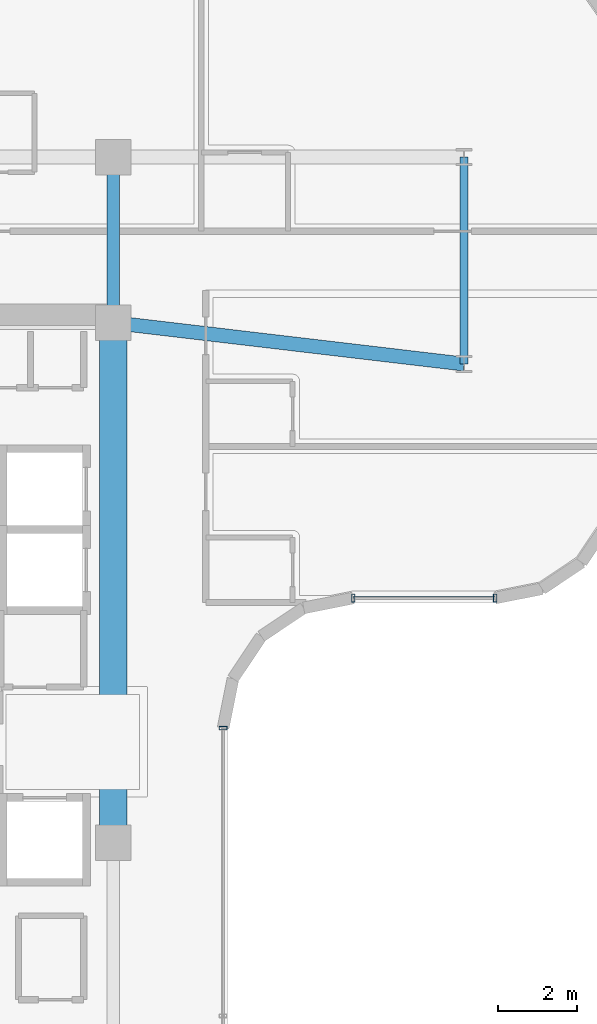
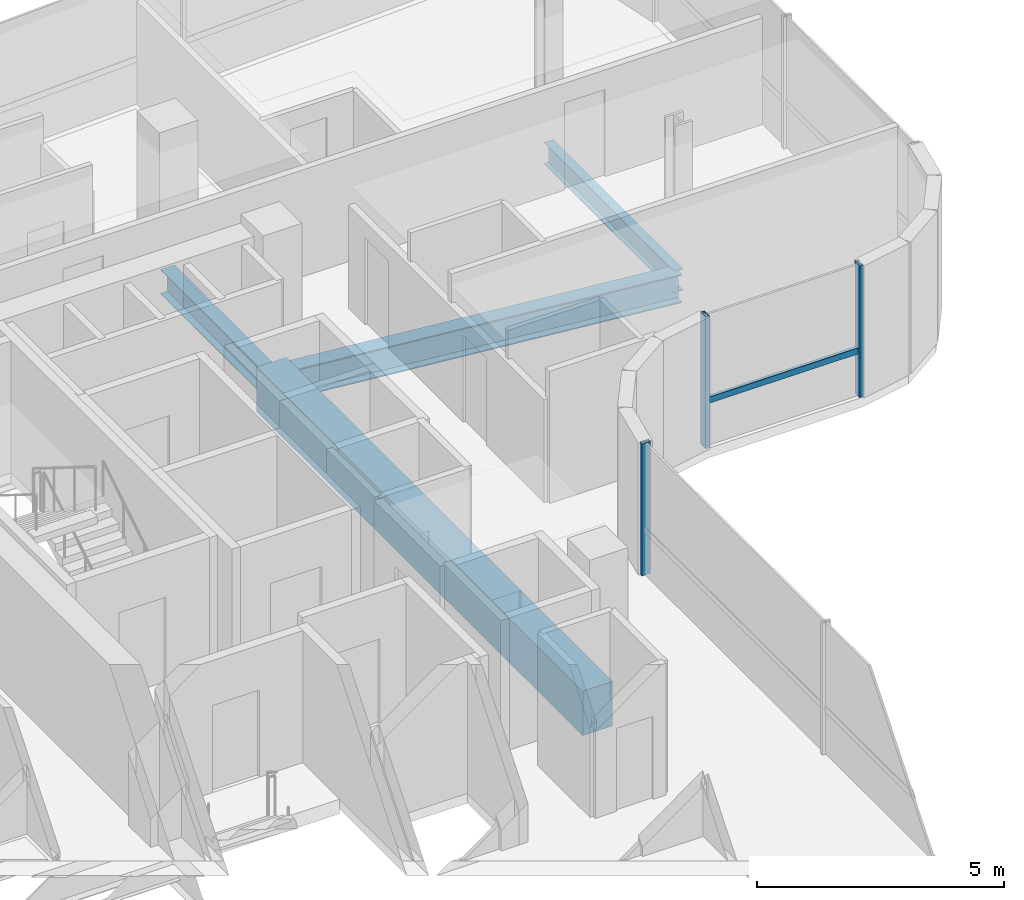
# One storey, part 9 of 22: 4 beams, 4 members, 2 elements without a shape of their own.
"""IFC4 building model written with IfcOpenShell, lengths in metres."""

from ifc_helpers import new_model, si_unit, direction, frame, origin, origin_2d, place, context, subcontext, project, spatial, rectangle, hollow_rectangle, i_section, extrude, source, transform, mapped, material, material_profile, profile_set, type_object, element, aggregate, save


model = new_model("IFC4")

# Units and contexts
model_context = context("Model", 3, precision=1e-05, world=origin(), true_north=direction((0.0, 1.0)))
body_context = subcontext(model_context, "Body", "Model", "MODEL_VIEW")
ifc_project = project(units=[si_unit("LENGTHUNIT", "METRE"), si_unit("AREAUNIT", "SQUARE_METRE"), si_unit("VOLUMEUNIT", "CUBIC_METRE"), si_unit("PLANEANGLEUNIT", "RADIAN"), si_unit("MASSUNIT", "GRAM", prefix="KILO")], contexts=[model_context])

# Site, building, storey
site_placement = place(None, origin())
site = spatial("IfcSite", under=ifc_project, at=site_placement, CompositionType="ELEMENT")
building_placement = place(site_placement, origin())
building = spatial("IfcBuilding", under=site, at=building_placement, Name="Valdorenza Pilgrim Sanctuary Tower", CompositionType="ELEMENT")
storey_placement = place(building_placement, frame((0.0, 0.0, 216.0)))
storey = spatial("IfcBuildingStorey", under=building, at=storey_placement, Name="L55", CompositionType="ELEMENT", Elevation=216.0)

# Beams
ifc_material_1 = material(Name="Concrete C50/60", Category="concrete")
ifc_material_profile_1 = material_profile(ifc_material_1, rectangle(XDim=0.699951171875, YDim=1.10009765625, at=origin_2d()), Name="RC 1100x700")
ifc_profile_set_1 = profile_set([ifc_material_profile_1], Name="Concrete C50/60")
beam_type_1 = type_object("IfcBeamType", Name="STR-BM-LNT-1100", PredefinedType="LINTEL", material=ifc_profile_set_1)
shared_shape_1 = source(origin(), body_context, "Body", "SweptSolid", [
    extrude(rectangle(XDim=0.699951171875, YDim=1.10009765625, at=origin_2d()), origin(), (0.0, 0.0, 1.0), 13.2001953125),
])
beam_1_placement = place(storey_placement, frame((-12.39990234375, -2.60009765625, -0.590087890625), z_axis=(0.0, 1.0, 0.0), x_axis=(-1.0, 0.0, 0.0)))
element("IfcBeam", 1, at=beam_1_placement, inside=storey, type_object=beam_type_1, Name="L55 Core A Coupling Lintel Girder", PredefinedType="LINTEL", context=body_context, shape_type="MappedRepresentation", body=[
    mapped(shared_shape_1, transform((0.0, 0.0, 0.0), x_axis=(1.0, 0.0, 0.0), y_axis=(0.0, 1.0, 0.0), z_axis=(0.0, 0.0, 1.0), scale=1.0)),
])
ifc_material_2 = material(Name="Steel ASTM A992 Grade 50", Category="steel")
ifc_material_profile_2 = material_profile(ifc_material_2, i_section(OverallWidth=0.323974609375, OverallDepth=0.611083984375, WebThickness=0.0126953125, FlangeThickness=0.01904296875, at=origin_2d()), Name="W24X104")
ifc_profile_set_2 = profile_set([ifc_material_profile_2], Name="Steel ASTM A992 Grade 50")
beam_type_2 = type_object("IfcBeamType", Name="STR-BM-GRD-W24B", PredefinedType="BEAM", material=ifc_profile_set_2)
shared_shape_2 = source(origin(), body_context, "Body", "SweptSolid", [
    extrude(i_section(OverallWidth=0.323974609375, OverallDepth=0.611083984375, WebThickness=0.0126953125, FlangeThickness=0.01904296875, at=origin_2d()), origin(), (0.0, 0.0, 1.0), 4.199951171875),
])
beam_2_placement = place(storey_placement, frame((-12.39990234375, 10.60009765625, -0.54541015625), z_axis=(0.0, 1.0, 0.0), x_axis=(-1.0, 0.0, 0.0)))
element("IfcBeam", 2, at=beam_2_placement, inside=storey, type_object=beam_type_2, Name="L55 Core Tie Girder CA-E-N1N2", PredefinedType="BEAM", context=body_context, shape_type="MappedRepresentation", body=[
    mapped(shared_shape_2, transform((0.0, 0.0, 0.0), x_axis=(1.0, 0.0, 0.0), y_axis=(0.0, 1.0, 0.0), z_axis=(0.0, 0.0, 1.0), scale=1.0)),
])
ifc_material_profile_3 = material_profile(ifc_material_2, i_section(OverallWidth=0.2109375, OverallDepth=0.5390625, WebThickness=0.01171875, FlangeThickness=0.018798828125, at=origin_2d()), Name="W21X73")
ifc_profile_set_3 = profile_set([ifc_material_profile_3], Name="Steel ASTM A992 Grade 50")
beam_type_3 = type_object("IfcBeamType", Name="STR-BM-SPN-W21B", PredefinedType="SPANDREL", material=ifc_profile_set_3)
shared_shape_3 = source(origin(), body_context, "Body", "SweptSolid", [
    extrude(i_section(OverallWidth=0.2109375, OverallDepth=0.5390625, WebThickness=0.01171875, FlangeThickness=0.018798828125, at=origin_2d()), origin(), (0.0, 0.0, 1.0), 5.25),
])
beam_3_placement = place(storey_placement, frame((-3.5, 9.550048828125, -0.509521484375), z_axis=(0.0, 1.0, 0.0), x_axis=(-1.0, 0.0, 0.0)))
element("IfcBeam", 3, at=beam_3_placement, inside=storey, type_object=beam_type_3, Name="L55 Floor Girder UWA-KTIE", PredefinedType="SPANDREL", context=body_context, shape_type="MappedRepresentation", body=[
    mapped(shared_shape_3, transform((0.0, 0.0, 0.0), x_axis=(1.0, 0.0, 0.0), y_axis=(0.0, 1.0, 0.0), z_axis=(0.0, 0.0, 1.0), scale=1.0)),
])
ifc_material_profile_4 = material_profile(ifc_material_2, i_section(OverallWidth=0.35595703125, OverallDepth=0.700927734375, WebThickness=0.016845703125, FlangeThickness=0.02734375, at=origin_2d()), Name="W27X161")
ifc_profile_set_4 = profile_set([ifc_material_profile_4], Name="Steel ASTM A992 Grade 50")
beam_type_4 = type_object("IfcBeamType", Name="STR-BM-GRD-W27", PredefinedType="BEAM", material=ifc_profile_set_4)
shared_shape_4 = source(origin(), body_context, "Body", "SweptSolid", [
    extrude(i_section(OverallWidth=0.35595703125, OverallDepth=0.700927734375, WebThickness=0.016845703125, FlangeThickness=0.02734375, at=origin_2d()), origin(), (0.0, 0.0, 1.0), 8.961669921875),
])
beam_4_placement = place(storey_placement, frame((-12.39990234375, 10.60009765625, -0.590576171875), z_axis=(0.993111684121, -0.117171595803, 0.0), x_axis=(0.117171595803, 0.993111684121, 0.0)))
element("IfcBeam", 4, at=beam_4_placement, inside=storey, type_object=beam_type_4, Name="L55 Floor Girder UWA-KG1", PredefinedType="BEAM", context=body_context, shape_type="MappedRepresentation", body=[
    mapped(shared_shape_4, transform((0.0, 0.0, 0.0), x_axis=(1.0, 0.0, 0.0), y_axis=(0.0, 1.0, 0.0), z_axis=(0.0, 0.0, 1.0), scale=1.0)),
])

# Curtain wall, members
ifc_material_3 = material(Name="Curtain-wall IGU glazing", Category="glass")
curtain_wall_type = type_object("IfcCurtainWallType", Name="CW-SYS-02", PredefinedType="NOTDEFINED", material=ifc_material_3)
curtain_wall_1_placement = place(storey_placement, origin())
curtain_wall_1 = element("IfcCurtainWall", 5, at=curtain_wall_1_placement, inside=storey, type_object=curtain_wall_type, Name="L55 Curtain Wall CW-L55-1-16", PredefinedType="NOTDEFINED")
ifc_material_4 = material(Name="Anodised aluminium AW-6060", Category="aluminium")
ifc_material_profile_5 = material_profile(ifc_material_4, hollow_rectangle(XDim=0.074951171875, YDim=0.14990234375, WallThickness=0.00390625, at=origin_2d()), Name="ALU-T 150x75x4")
ifc_profile_set_5 = profile_set([ifc_material_profile_5], Name="Anodised aluminium AW-6060")
member_type_1 = type_object("IfcMemberType", Name="CW-TRN-02", PredefinedType="USERDEFINED", material=ifc_profile_set_5)
shared_shape_5 = source(origin(), body_context, "Body", "SweptSolid", [
    extrude(hollow_rectangle(XDim=0.074951171875, YDim=0.14990234375, WallThickness=0.00390625, at=origin_2d()), origin(), (0.0, 0.0, 1.0), 3.60009765625),
])
member_1_placement = place(storey_placement, frame((-2.710693359375, 3.610107421875, 1.1201171875), z_axis=(-1.0, 0.0, 0.0), x_axis=(0.0, -1.0, 0.0)))
member_1 = element("IfcMember", 6, at=member_1_placement, type_object=member_type_1, Name="CW-L55-1-16 Transom 1", ObjectType="TRANSOM", PredefinedType="USERDEFINED", context=body_context, shape_type="MappedRepresentation", body=[
    mapped(shared_shape_5, transform((0.0, 0.0, 0.0), x_axis=(1.0, 0.0, 0.0), y_axis=(0.0, 1.0, 0.0), z_axis=(0.0, 0.0, 1.0), scale=1.0)),
])
ifc_material_profile_6 = material_profile(ifc_material_4, hollow_rectangle(XDim=0.0849609375, YDim=0.199951171875, WallThickness=0.0048828125, at=origin_2d()), Name="ALU-M 200x85x5")
ifc_profile_set_6 = profile_set([ifc_material_profile_6], Name="Anodised aluminium AW-6060")
member_type_2 = type_object("IfcMemberType", Name="CW-MUL-02", PredefinedType="MULLION", material=ifc_profile_set_6)
shared_shape_6 = source(origin(), body_context, "Body", "SweptSolid", [
    extrude(hollow_rectangle(XDim=0.0849609375, YDim=0.199951171875, WallThickness=0.0048828125, at=origin_2d()), origin(), (0.0, 0.0, 1.0), 3.260009765625),
])
member_2_placement = place(storey_placement, frame((-2.710693359375, 3.610107421875, 0.0), z_axis=(0.0, 0.0, 1.0), x_axis=(-1.0, 0.0, 0.0)))
member_2 = element("IfcMember", 7, at=member_2_placement, type_object=member_type_2, Name="CW-L55-1-16 Mullion 1", PredefinedType="MULLION", context=body_context, shape_type="MappedRepresentation", body=[
    mapped(shared_shape_6, transform((0.0, 0.0, 0.0), x_axis=(1.0, 0.0, 0.0), y_axis=(0.0, 1.0, 0.0), z_axis=(0.0, 0.0, 1.0), scale=1.0)),
])
member_3_placement = place(storey_placement, frame((-6.310791015625, 3.610107421875, 0.0), z_axis=(0.0, 0.0, 1.0), x_axis=(-1.0, 0.0, 0.0)))
member_3 = element("IfcMember", 8, at=member_3_placement, type_object=member_type_2, Name="CW-L55-1-16 Mullion 2", PredefinedType="MULLION", context=body_context, shape_type="MappedRepresentation", body=[
    mapped(shared_shape_6, transform((0.0, 0.0, 0.0), x_axis=(1.0, 0.0, 0.0), y_axis=(0.0, 1.0, 0.0), z_axis=(0.0, 0.0, 1.0), scale=1.0)),
])
aggregate(curtain_wall_1, [member_2, member_3, member_1])

# Curtain wall, member
curtain_wall_2_placement = place(storey_placement, origin())
curtain_wall_2 = element("IfcCurtainWall", 9, at=curtain_wall_2_placement, inside=storey, type_object=curtain_wall_type, Name="L55 Curtain Wall CW-L55-1-21", PredefinedType="NOTDEFINED")
member_4_placement = place(storey_placement, frame((-9.610107421875, 0.310791015625, 0.0), z_axis=(0.0, 0.0, 1.0), x_axis=(0.0, -1.0, 0.0)))
member_4 = element("IfcMember", 10, at=member_4_placement, type_object=member_type_2, Name="CW-L55-1-21 Mullion 1", PredefinedType="MULLION", context=body_context, shape_type="MappedRepresentation", body=[
    mapped(shared_shape_6, transform((0.0, 0.0, 0.0), x_axis=(1.0, 0.0, 0.0), y_axis=(0.0, 1.0, 0.0), z_axis=(0.0, 0.0, 1.0), scale=1.0)),
])
aggregate(curtain_wall_2, [member_4])

save(model, "model.ifc")
